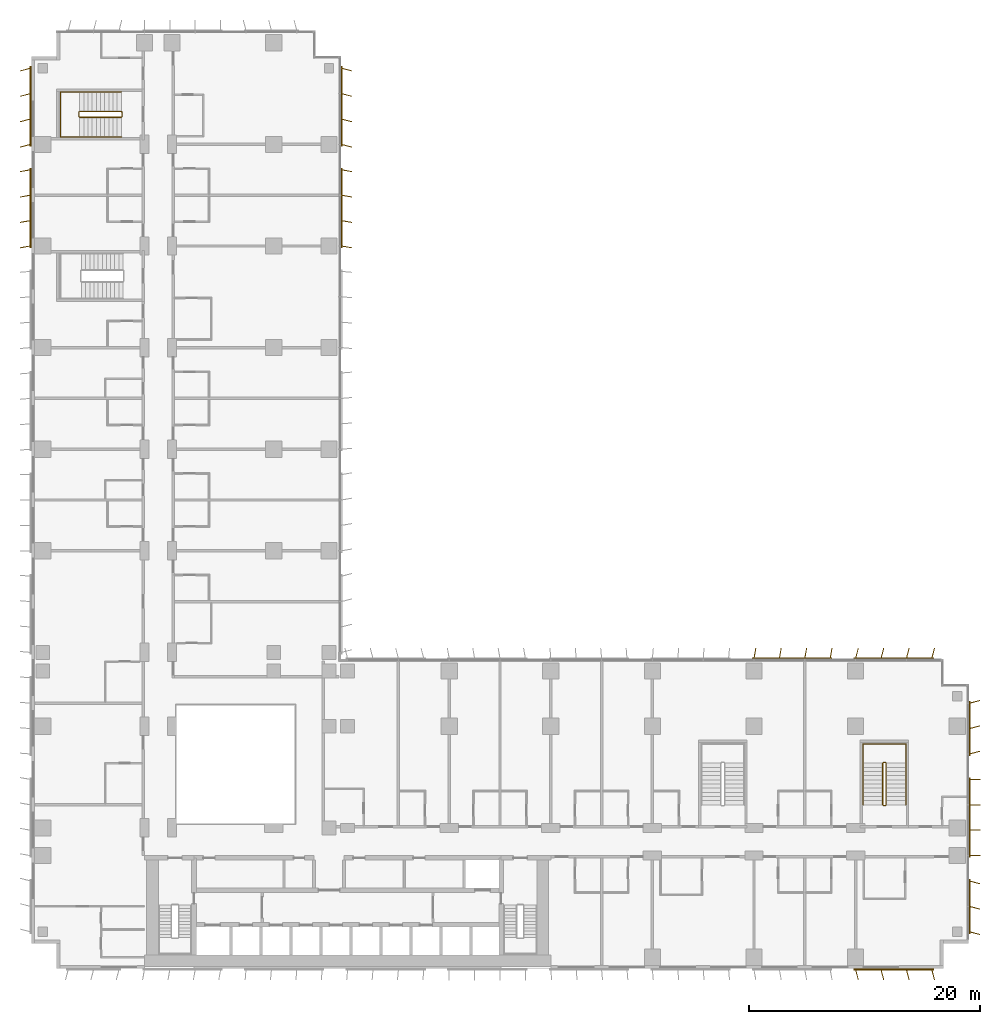
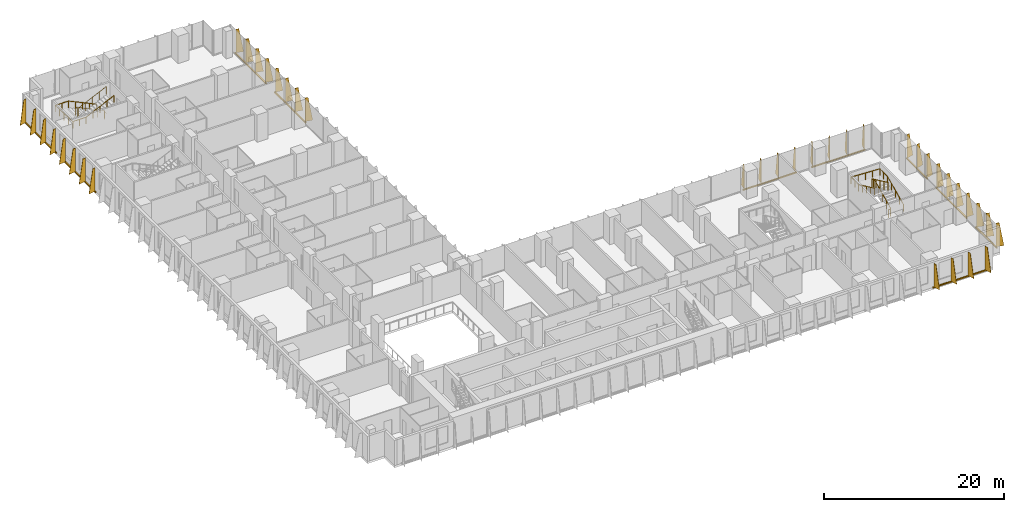
# One storey, part 23 of 24: 10 shading devices, 4 railings.
"""IFC4 building model written with IfcOpenShell, lengths in metres."""

from ifc_helpers import new_model, si_unit, direction, frame, origin, origin_2d, place, context, subcontext, project, spatial, polyline, rectangle, circle, outline, extrude, source, transform, mapped, material, layer, layer_set, type_object, element, save


model = new_model("IFC4")

# Units and contexts
model_context = context("Model", 3, precision=1e-05, world=origin(), true_north=direction((0.0, 1.0)))
body_context = subcontext(model_context, "Body", "Model", "MODEL_VIEW")
ifc_project = project(units=[si_unit("LENGTHUNIT", "METRE"), si_unit("AREAUNIT", "SQUARE_METRE"), si_unit("VOLUMEUNIT", "CUBIC_METRE"), si_unit("PLANEANGLEUNIT", "RADIAN"), si_unit("MASSUNIT", "GRAM", prefix="KILO")], contexts=[model_context])

# Site, building, storey
site_placement = place(None, origin())
site = spatial("IfcSite", under=ifc_project, at=site_placement, CompositionType="ELEMENT")
building_placement = place(site_placement, origin())
building = spatial("IfcBuilding", under=site, at=building_placement, Name="Kemantara Hotel Tower", CompositionType="ELEMENT")
storey_placement = place(building_placement, frame((0.0, 0.0, 37.699951171875)))
storey = spatial("IfcBuildingStorey", under=building, at=storey_placement, Name="L07", CompositionType="ELEMENT", Elevation=37.699951171875)

# Railings
ifc_material_1 = material(Name="Stainless steel balustrade", Category="steel")
railing_type_1 = type_object("IfcRailingType", Name="Stair guard 1100 mm", PredefinedType="GUARDRAIL", material=ifc_material_1)
railing_1_placement = place(storey_placement, frame((73.75, 14.199951171875, 3.699951171875)))
element("IfcRailing", 1, at=railing_1_placement, inside=storey, type_object=railing_type_1, Name="L07 ST5 stair guard 1", PredefinedType="GUARDRAIL", context=body_context, shape_type="SweptSolid", body=[
    extrude(circle(Radius=0.02392578125, at=origin_2d()), frame((0.0, 0.0, 1.076171875), z_axis=(0.0, 0.906029249863, -0.423215073447), x_axis=(-1.0, 0.0, 0.0)), (0.0, 0.0, 1.0), 3.973388671875),
    extrude(circle(Radius=0.02392578125, at=origin_2d()), frame((0.0, 3.60009765625, -0.60546875), z_axis=(0.274243871929, 0.274243871929, -0.92172696468), x_axis=(-0.707106781187, 0.707106781187, 0.0)), (0.0, 0.0, 1.0), 0.1826171875),
    extrude(circle(Radius=0.02392578125, at=origin_2d()), frame((0.050048828125, 3.650146484375, -0.77392578125), z_axis=(1.0, 0.0, 0.0), x_axis=(0.0, 1.0, 0.0)), (0.0, 0.0, 1.0), 0.199951171875),
    extrude(circle(Radius=0.02392578125, at=origin_2d()), frame((0.25, 3.650146484375, -0.77392578125), z_axis=(0.707106781187, -0.707106781187, 0.0), x_axis=(0.707106781187, 0.707106781187, 0.0)), (0.0, 0.0, 1.0), 0.07080078125),
    extrude(circle(Radius=0.02392578125, at=origin_2d()), frame((0.300048828125, 3.60009765625, -0.77392578125), z_axis=(0.0, -0.906005689286, -0.423265508849), x_axis=(1.0, 0.0, 0.0)), (0.0, 0.0, 1.0), 3.9736328125),
    extrude(circle(Radius=0.02392578125, at=origin_2d()), frame((0.300048828125, 0.0, -2.45556640625), z_axis=(-0.274243871929, -0.274243871929, -0.92172696468), x_axis=(0.707106781187, -0.707106781187, 0.0)), (0.0, 0.0, 1.0), 0.1826171875),
    extrude(circle(Radius=0.02392578125, at=origin_2d()), frame((0.25, -0.050048828125, -2.6240234375), z_axis=(-1.0, 0.0, 0.0), x_axis=(0.0, -1.0, 0.0)), (0.0, 0.0, 1.0), 0.199951171875),
    extrude(circle(Radius=0.02099609375, at=origin_2d()), origin(), (0.0, 0.0, 1.0), 1.052001953125),
    extrude(circle(Radius=0.02099609375, at=origin_2d()), frame((0.0, 0.89990234375, -0.42041015625)), (0.0, 0.0, 1.0), 1.052001953125),
    extrude(circle(Radius=0.02099609375, at=origin_2d()), frame((0.0, 1.800048828125, -0.8408203125)), (0.0, 0.0, 1.0), 1.052001953125),
    extrude(circle(Radius=0.02099609375, at=origin_2d()), frame((0.0, 2.7001953125, -1.26123046875)), (0.0, 0.0, 1.0), 1.052001953125),
    extrude(circle(Radius=0.02099609375, at=origin_2d()), frame((0.0, 3.60009765625, -1.681640625)), (0.0, 0.0, 1.0), 1.052001953125),
    extrude(circle(Radius=0.02099609375, at=origin_2d()), frame((0.050048828125, 3.650146484375, -1.849853515625)), (0.0, 0.0, 1.0), 1.052001953125),
    extrude(circle(Radius=0.02099609375, at=origin_2d()), frame((0.25, 3.650146484375, -1.849853515625)), (0.0, 0.0, 1.0), 1.052001953125),
    extrude(circle(Radius=0.02099609375, at=origin_2d()), frame((0.300048828125, 3.60009765625, -1.849853515625)), (0.0, 0.0, 1.0), 1.052001953125),
    extrude(circle(Radius=0.02099609375, at=origin_2d()), frame((0.300048828125, 2.7001953125, -2.270263671875)), (0.0, 0.0, 1.0), 1.052001953125),
    extrude(circle(Radius=0.02099609375, at=origin_2d()), frame((0.300048828125, 1.800048828125, -2.69091796875)), (0.0, 0.0, 1.0), 1.052001953125),
    extrude(circle(Radius=0.02099609375, at=origin_2d()), frame((0.300048828125, 0.89990234375, -3.111328125)), (0.0, 0.0, 1.0), 1.052001953125),
    extrude(circle(Radius=0.02099609375, at=origin_2d()), frame((0.300048828125, 0.0, -3.53173828125)), (0.0, 0.0, 1.0), 1.052001953125),
    extrude(circle(Radius=0.02099609375, at=origin_2d()), frame((0.25, -0.050048828125, -3.699951171875)), (0.0, 0.0, 1.0), 1.052001953125),
    extrude(circle(Radius=0.02099609375, at=origin_2d()), frame((0.050048828125, -0.050048828125, -3.699951171875)), (0.0, 0.0, 1.0), 1.052001953125),
])
railing_2_placement = place(storey_placement, frame((7.800048828125, 73.75, 3.699951171875)))
element("IfcRailing", 2, at=railing_2_placement, inside=storey, type_object=railing_type_1, Name="L07 ST6 stair guard 1", PredefinedType="GUARDRAIL", context=body_context, shape_type="SweptSolid", body=[
    extrude(circle(Radius=0.02392578125, at=origin_2d()), frame((0.0, 0.0, 1.076171875), z_axis=(-0.906029249863, 0.0, -0.423215073447), x_axis=(0.0, -1.0, 0.0)), (0.0, 0.0, 1.0), 3.973388671875),
    extrude(circle(Radius=0.02392578125, at=origin_2d()), frame((-3.60009765625, 0.0, -0.60546875), z_axis=(-0.274243871929, 0.274243871929, -0.92172696468), x_axis=(-0.707106781187, -0.707106781187, 0.0)), (0.0, 0.0, 1.0), 0.1826171875),
    extrude(circle(Radius=0.02392578125, at=origin_2d()), frame((-3.650146484375, 0.050048828125, -0.77392578125), z_axis=(0.0, 1.0, 0.0), x_axis=(-1.0, 0.0, 0.0)), (0.0, 0.0, 1.0), 0.39990234375),
    extrude(circle(Radius=0.02392578125, at=origin_2d()), frame((-3.650146484375, 0.449951171875, -0.77392578125), z_axis=(0.707106781187, 0.707106781187, 0.0), x_axis=(-0.707106781187, 0.707106781187, 0.0)), (0.0, 0.0, 1.0), 0.07080078125),
    extrude(circle(Radius=0.02392578125, at=origin_2d()), frame((-3.60009765625, 0.5, -0.77392578125), z_axis=(0.906005689286, 0.0, -0.423265508849), x_axis=(0.0, 1.0, 0.0)), (0.0, 0.0, 1.0), 3.9736328125),
    extrude(circle(Radius=0.02392578125, at=origin_2d()), frame((0.0, 0.5, -2.45556640625), z_axis=(0.274243871929, -0.274243871929, -0.92172696468), x_axis=(0.707106781187, 0.707106781187, 0.0)), (0.0, 0.0, 1.0), 0.1826171875),
    extrude(circle(Radius=0.02392578125, at=origin_2d()), frame((0.050048828125, 0.449951171875, -2.6240234375), z_axis=(0.0, -1.0, 0.0), x_axis=(1.0, 0.0, 0.0)), (0.0, 0.0, 1.0), 0.39990234375),
    extrude(circle(Radius=0.02099609375, at=origin_2d()), origin(), (0.0, 0.0, 1.0), 1.052001953125),
    extrude(circle(Radius=0.02099609375, at=origin_2d()), frame((-0.89990234375, 0.0, -0.42041015625)), (0.0, 0.0, 1.0), 1.052001953125),
    extrude(circle(Radius=0.02099609375, at=origin_2d()), frame((-1.800048828125, 0.0, -0.8408203125)), (0.0, 0.0, 1.0), 1.052001953125),
    extrude(circle(Radius=0.02099609375, at=origin_2d()), frame((-2.7001953125, 0.0, -1.26123046875)), (0.0, 0.0, 1.0), 1.052001953125),
    extrude(circle(Radius=0.02099609375, at=origin_2d()), frame((-3.60009765625, 0.0, -1.681640625)), (0.0, 0.0, 1.0), 1.052001953125),
    extrude(circle(Radius=0.02099609375, at=origin_2d()), frame((-3.650146484375, 0.050048828125, -1.849853515625)), (0.0, 0.0, 1.0), 1.052001953125),
    extrude(circle(Radius=0.02099609375, at=origin_2d()), frame((-3.650146484375, 0.449951171875, -1.849853515625)), (0.0, 0.0, 1.0), 1.052001953125),
    extrude(circle(Radius=0.02099609375, at=origin_2d()), frame((-3.60009765625, 0.5, -1.849853515625)), (0.0, 0.0, 1.0), 1.052001953125),
    extrude(circle(Radius=0.02099609375, at=origin_2d()), frame((-2.7001953125, 0.5, -2.270263671875)), (0.0, 0.0, 1.0), 1.052001953125),
    extrude(circle(Radius=0.02099609375, at=origin_2d()), frame((-1.800048828125, 0.5, -2.69091796875)), (0.0, 0.0, 1.0), 1.052001953125),
    extrude(circle(Radius=0.02099609375, at=origin_2d()), frame((-0.89990234375, 0.5, -3.111328125)), (0.0, 0.0, 1.0), 1.052001953125),
    extrude(circle(Radius=0.02099609375, at=origin_2d()), frame((0.0, 0.5, -3.53173828125)), (0.0, 0.0, 1.0), 1.052001953125),
    extrude(circle(Radius=0.02099609375, at=origin_2d()), frame((0.050048828125, 0.449951171875, -3.699951171875)), (0.0, 0.0, 1.0), 1.052001953125),
    extrude(circle(Radius=0.02099609375, at=origin_2d()), frame((0.050048828125, 0.050048828125, -3.699951171875)), (0.0, 0.0, 1.0), 1.052001953125),
])
railing_type_2 = type_object("IfcRailingType", Name="Stair handrail 900 mm", PredefinedType="HANDRAIL", material=ifc_material_1)
railing_3_placement = place(storey_placement, frame((75.75, 14.199951171875, 0.168212890625)))
element("IfcRailing", 3, at=railing_3_placement, inside=storey, type_object=railing_type_2, Name="L07 ST5 stair handrail 1", PredefinedType="HANDRAIL", context=body_context, shape_type="SweptSolid", body=[
    extrude(circle(Radius=0.02392578125, at=origin_2d()), frame((0.0, 0.0, 0.8759765625), z_axis=(0.0, 0.906005689286, 0.423265508849), x_axis=(-1.0, 0.0, 0.0)), (0.0, 0.0, 1.0), 3.9736328125),
    extrude(circle(Radius=0.02392578125, at=origin_2d()), frame((0.0, 3.60009765625, 2.5576171875), z_axis=(0.0, 1.0, 0.0), x_axis=(-1.0, 0.0, 0.0)), (0.0, 0.0, 1.0), 1.679931640625),
    extrude(circle(Radius=0.02392578125, at=origin_2d()), frame((0.0, 5.280029296875, 2.5576171875), z_axis=(-0.998968132438, 0.0, 0.045416631029), x_axis=(0.0, -1.0, 0.0)), (0.0, 0.0, 1.0), 3.703857421875),
    extrude(circle(Radius=0.02392578125, at=origin_2d()), frame((-3.699951171875, 5.280029296875, 2.72607421875), z_axis=(0.0, -1.0, 0.0), x_axis=(1.0, 0.0, 0.0)), (0.0, 0.0, 1.0), 1.679931640625),
    extrude(circle(Radius=0.02392578125, at=origin_2d()), frame((-3.699951171875, 3.60009765625, 2.72607421875), z_axis=(0.0, -0.906029249863, 0.423215073447), x_axis=(1.0, 0.0, 0.0)), (0.0, 0.0, 1.0), 3.973388671875),
    extrude(circle(Radius=0.02099609375, at=origin_2d()), origin(), (0.0, 0.0, 1.0), 0.851806640625),
    extrude(circle(Radius=0.02099609375, at=origin_2d()), frame((0.0, 0.89990234375, 0.42041015625)), (0.0, 0.0, 1.0), 0.851806640625),
    extrude(circle(Radius=0.02099609375, at=origin_2d()), frame((0.0, 1.800048828125, 0.8408203125)), (0.0, 0.0, 1.0), 0.851806640625),
    extrude(circle(Radius=0.02099609375, at=origin_2d()), frame((0.0, 2.7001953125, 1.261474609375)), (0.0, 0.0, 1.0), 0.851806640625),
    extrude(circle(Radius=0.02099609375, at=origin_2d()), frame((0.0, 3.60009765625, 1.681884765625)), (0.0, 0.0, 1.0), 0.851806640625),
    extrude(circle(Radius=0.02099609375, at=origin_2d()), frame((0.0, 4.43994140625, 1.681884765625)), (0.0, 0.0, 1.0), 0.851806640625),
    extrude(circle(Radius=0.02099609375, at=origin_2d()), frame((0.0, 5.280029296875, 1.681884765625)), (0.0, 0.0, 1.0), 0.851806640625),
    extrude(circle(Radius=0.02099609375, at=origin_2d()), frame((-0.925048828125, 5.280029296875, 1.723876953125)), (0.0, 0.0, 1.0), 0.851806640625),
    extrude(circle(Radius=0.02099609375, at=origin_2d()), frame((-1.85009765625, 5.280029296875, 1.76611328125)), (0.0, 0.0, 1.0), 0.851806640625),
    extrude(circle(Radius=0.02099609375, at=origin_2d()), frame((-2.77490234375, 5.280029296875, 1.80810546875)), (0.0, 0.0, 1.0), 0.851806640625),
    extrude(circle(Radius=0.02099609375, at=origin_2d()), frame((-3.699951171875, 5.280029296875, 1.85009765625)), (0.0, 0.0, 1.0), 0.851806640625),
    extrude(circle(Radius=0.02099609375, at=origin_2d()), frame((-3.699951171875, 4.43994140625, 1.85009765625)), (0.0, 0.0, 1.0), 0.851806640625),
    extrude(circle(Radius=0.02099609375, at=origin_2d()), frame((-3.699951171875, 3.60009765625, 1.85009765625)), (0.0, 0.0, 1.0), 0.851806640625),
    extrude(circle(Radius=0.02099609375, at=origin_2d()), frame((-3.699951171875, 2.7001953125, 2.2705078125)), (0.0, 0.0, 1.0), 0.851806640625),
    extrude(circle(Radius=0.02099609375, at=origin_2d()), frame((-3.699951171875, 1.800048828125, 2.69091796875)), (0.0, 0.0, 1.0), 0.851806640625),
    extrude(circle(Radius=0.02099609375, at=origin_2d()), frame((-3.699951171875, 0.89990234375, 3.111328125)), (0.0, 0.0, 1.0), 0.851806640625),
    extrude(circle(Radius=0.02099609375, at=origin_2d()), frame((-3.699951171875, 0.0, 3.53173828125)), (0.0, 0.0, 1.0), 0.851806640625),
])
railing_4_placement = place(storey_placement, frame((7.800048828125, 75.949951171875, 0.168212890625)))
element("IfcRailing", 4, at=railing_4_placement, inside=storey, type_object=railing_type_2, Name="L07 ST6 stair handrail 1", PredefinedType="HANDRAIL", context=body_context, shape_type="SweptSolid", body=[
    extrude(circle(Radius=0.02392578125, at=origin_2d()), frame((0.0, 0.0, 0.8759765625), z_axis=(-0.906005689286, 0.0, 0.423265508849), x_axis=(0.0, -1.0, 0.0)), (0.0, 0.0, 1.0), 3.9736328125),
    extrude(circle(Radius=0.02392578125, at=origin_2d()), frame((-3.60009765625, 0.0, 2.5576171875), z_axis=(-1.0, 0.0, 0.0), x_axis=(0.0, -1.0, 0.0)), (0.0, 0.0, 1.0), 1.679931640625),
    extrude(circle(Radius=0.02392578125, at=origin_2d()), frame((-5.280029296875, 0.0, 2.5576171875), z_axis=(0.0, -0.999071085748, 0.043092523981), x_axis=(1.0, 0.0, 0.0)), (0.0, 0.0, 1.0), 3.903564453125),
    extrude(circle(Radius=0.02392578125, at=origin_2d()), frame((-5.280029296875, -3.89990234375, 2.72607421875), z_axis=(1.0, 0.0, 0.0), x_axis=(0.0, 1.0, 0.0)), (0.0, 0.0, 1.0), 1.679931640625),
    extrude(circle(Radius=0.02392578125, at=origin_2d()), frame((-3.60009765625, -3.89990234375, 2.72607421875), z_axis=(0.906029249863, 0.0, 0.423215073447), x_axis=(0.0, 1.0, 0.0)), (0.0, 0.0, 1.0), 3.973388671875),
    extrude(circle(Radius=0.02099609375, at=origin_2d()), origin(), (0.0, 0.0, 1.0), 0.851806640625),
    extrude(circle(Radius=0.02099609375, at=origin_2d()), frame((-0.89990234375, 0.0, 0.42041015625)), (0.0, 0.0, 1.0), 0.851806640625),
    extrude(circle(Radius=0.02099609375, at=origin_2d()), frame((-1.800048828125, 0.0, 0.8408203125)), (0.0, 0.0, 1.0), 0.851806640625),
    extrude(circle(Radius=0.02099609375, at=origin_2d()), frame((-2.7001953125, 0.0, 1.261474609375)), (0.0, 0.0, 1.0), 0.851806640625),
    extrude(circle(Radius=0.02099609375, at=origin_2d()), frame((-3.60009765625, 0.0, 1.681884765625)), (0.0, 0.0, 1.0), 0.851806640625),
    extrude(circle(Radius=0.02099609375, at=origin_2d()), frame((-4.43994140625, 0.0, 1.681884765625)), (0.0, 0.0, 1.0), 0.851806640625),
    extrude(circle(Radius=0.02099609375, at=origin_2d()), frame((-5.280029296875, 0.0, 1.681884765625)), (0.0, 0.0, 1.0), 0.851806640625),
    extrude(circle(Radius=0.02099609375, at=origin_2d()), frame((-5.280029296875, -0.97509765625, 1.723876953125)), (0.0, 0.0, 1.0), 0.851806640625),
    extrude(circle(Radius=0.02099609375, at=origin_2d()), frame((-5.280029296875, -1.949951171875, 1.76611328125)), (0.0, 0.0, 1.0), 0.851806640625),
    extrude(circle(Radius=0.02099609375, at=origin_2d()), frame((-5.280029296875, -2.9248046875, 1.80810546875)), (0.0, 0.0, 1.0), 0.851806640625),
    extrude(circle(Radius=0.02099609375, at=origin_2d()), frame((-5.280029296875, -3.89990234375, 1.85009765625)), (0.0, 0.0, 1.0), 0.851806640625),
    extrude(circle(Radius=0.02099609375, at=origin_2d()), frame((-4.43994140625, -3.89990234375, 1.85009765625)), (0.0, 0.0, 1.0), 0.851806640625),
    extrude(circle(Radius=0.02099609375, at=origin_2d()), frame((-3.60009765625, -3.89990234375, 1.85009765625)), (0.0, 0.0, 1.0), 0.851806640625),
    extrude(circle(Radius=0.02099609375, at=origin_2d()), frame((-2.7001953125, -3.89990234375, 2.2705078125)), (0.0, 0.0, 1.0), 0.851806640625),
    extrude(circle(Radius=0.02099609375, at=origin_2d()), frame((-1.800048828125, -3.89990234375, 2.69091796875)), (0.0, 0.0, 1.0), 0.851806640625),
    extrude(circle(Radius=0.02099609375, at=origin_2d()), frame((-0.89990234375, -3.89990234375, 3.111328125)), (0.0, 0.0, 1.0), 0.851806640625),
    extrude(circle(Radius=0.02099609375, at=origin_2d()), frame((0.0, -3.89990234375, 3.53173828125)), (0.0, 0.0, 1.0), 0.851806640625),
])

# Shading devices
ifc_material_2 = material(Name="Perforated aluminium plate 4 mm bronze anodised", Category="aluminium")
ifc_layer_1 = layer(ifc_material_2, 0.0400390625)
ifc_layer_set_1 = layer_set([ifc_layer_1], Name="Perforated aluminium plate 4 mm bronze anodised")
shading_device_type_1 = type_object("IfcShadingDeviceType", Name="SCREEN FIN CASSETTE, 3 BLADES AT -15.0 DEG, 3200 HIGH", PredefinedType="USERDEFINED", material=ifc_layer_set_1)
shared_shape_1 = source(origin(), body_context, "Body", "SweptSolid", [
    extrude(rectangle(XDim=4.699951171875, YDim=0.14990234375, at=origin_2d()), frame((2.199951171875, -0.074951171875, -0.14990234375), z_axis=(0.0, 0.0, 1.0), x_axis=(1.0, 0.0, 0.0)), (0.0, 0.0, 1.0), 0.14990234375),
    extrude(outline(polyline([(0.0, 0.0), (0.89990234375, 0.0), (0.35009765625, 3.199951171875), (0.0, 3.199951171875), (0.0, 0.0)])), frame((0.019287109375, -0.080078125, 0.0), z_axis=(-0.966437683387, 0.256901156343, 0.0), x_axis=(-0.256901156343, -0.966437683387, 0.0)), (0.0, 0.0, 1.0), 0.039794921875),
    extrude(outline(polyline([(0.0, 0.0), (0.89990234375, 0.0), (0.35009765625, 3.199951171875), (0.0, 3.199951171875), (0.0, 0.0)])), frame((2.21923828125, -0.080078125, 0.0), z_axis=(-0.966437683387, 0.256901156343, 0.0), x_axis=(-0.256901156343, -0.966437683387, 0.0)), (0.0, 0.0, 1.0), 0.039794921875),
    extrude(outline(polyline([(0.0, 0.0), (0.89990234375, 0.0), (0.35009765625, 3.199951171875), (0.0, 3.199951171875), (0.0, 0.0)])), frame((4.41943359375, -0.080078125, 0.0), z_axis=(-0.966837822169, 0.255391122837, 0.0), x_axis=(-0.255391122837, -0.966837822169, 0.0)), (0.0, 0.0, 1.0), 0.0400390625),
])
shading_device_1_placement = place(storey_placement, frame((81.199951171875, 3.199951171875, 0.10009765625), z_axis=(0.0, 0.0, 1.0), x_axis=(0.0, 1.0, 0.0)))
element("IfcShadingDevice", 5, at=shading_device_1_placement, inside=storey, type_object=shading_device_type_1, Name="SCREEN FIN CASSETTE L07 T1-R04-1", ObjectType="SCREEN FIN", PredefinedType="USERDEFINED", context=body_context, shape_type="MappedRepresentation", body=[
    mapped(shared_shape_1, transform((0.0, 0.0, 0.0))),
])
ifc_layer_2 = layer(ifc_material_2, 0.0400390625)
ifc_layer_set_2 = layer_set([ifc_layer_2], Name="Perforated aluminium plate 4 mm bronze anodised")
shading_device_type_2 = type_object("IfcShadingDeviceType", Name="SCREEN FIN CASSETTE, 4 BLADES AT -10.0 DEG, 3200 HIGH", PredefinedType="USERDEFINED", material=ifc_layer_set_2)
shared_shape_2 = source(origin(), body_context, "Body", "SweptSolid", [
    extrude(rectangle(XDim=6.89990234375, YDim=0.14990234375, at=origin_2d()), frame((3.300048828125, -0.074951171875, -0.14990234375), z_axis=(0.0, 0.0, 1.0), x_axis=(1.0, 0.0, 0.0)), (0.0, 0.0, 1.0), 0.14990234375),
    extrude(outline(polyline([(0.0, 0.0), (0.89990234375, 0.0), (0.35009765625, 3.199951171875), (0.0, 3.199951171875), (0.0, 0.0)])), frame((0.019775390625, -0.078369140625, 0.0), z_axis=(-0.985389793052, 0.170314285219, 0.0), x_axis=(-0.170314285219, -0.985389793052, 0.0)), (0.0, 0.0, 1.0), 0.0400390625),
    extrude(outline(polyline([(0.0, 0.0), (0.89990234375, 0.0), (0.35009765625, 3.199951171875), (0.0, 3.199951171875), (0.0, 0.0)])), frame((2.2197265625, -0.078369140625, 0.0), z_axis=(-0.98521175482, 0.171341174751, 0.0), x_axis=(-0.171341174751, -0.98521175482, 0.0)), (0.0, 0.0, 1.0), 0.039794921875),
    extrude(outline(polyline([(0.0, 0.0), (0.89990234375, 0.0), (0.35009765625, 3.199951171875), (0.0, 3.199951171875), (0.0, 0.0)])), frame((4.419677734375, -0.078369140625, 0.0), z_axis=(-0.98521175482, 0.171341174751, 0.0), x_axis=(-0.171341174751, -0.98521175482, 0.0)), (0.0, 0.0, 1.0), 0.039794921875),
    extrude(outline(polyline([(0.0, 0.0), (0.89990234375, 0.0), (0.35009765625, 3.199951171875), (0.0, 3.199951171875), (0.0, 0.0)])), frame((6.61962890625, -0.078369140625, 0.0), z_axis=(-0.98521175482, 0.171341174751, 0.0), x_axis=(-0.171341174751, -0.98521175482, 0.0)), (0.0, 0.0, 1.0), 0.039794921875),
])
for number, where, z_axis, x_axis, name in (
    (6, (69.199951171875, 26.800048828125, 0.10009765625), (0.0, 0.0, 1.0), (-1.0, 0.0, 0.0), "SCREEN FIN CASSETTE L07 T1-R07-2"),
    (7, (26.800048828125, 62.60009765625, 0.10009765625), (0.0, 0.0, 1.0), (0.0, 1.0, 0.0), "SCREEN FIN CASSETTE L07 T1-R08-5"),
):
    element("IfcShadingDevice", number, at=place(storey_placement, frame(where, z_axis=z_axis, x_axis=x_axis)), inside=storey, type_object=shading_device_type_2, Name=name, ObjectType="SCREEN FIN", PredefinedType="USERDEFINED", context=body_context, shape_type="MappedRepresentation", body=[
        mapped(shared_shape_2, transform((0.0, 0.0, 0.0))),
    ])
ifc_layer_3 = layer(ifc_material_2, 0.0400390625)
ifc_layer_set_3 = layer_set([ifc_layer_3], Name="Perforated aluminium plate 4 mm bronze anodised")
shading_device_type_3 = type_object("IfcShadingDeviceType", Name="SCREEN FIN CASSETTE, 4 BLADES AT +0.0 DEG, 3200 HIGH", PredefinedType="USERDEFINED", material=ifc_layer_set_3)
shared_shape_3 = source(origin(), body_context, "Body", "SweptSolid", [
    extrude(rectangle(XDim=6.89990234375, YDim=0.14990234375, at=origin_2d()), frame((3.300048828125, -0.074951171875, -0.14990234375), z_axis=(0.0, 0.0, 1.0), x_axis=(1.0, 0.0, 0.0)), (0.0, 0.0, 1.0), 0.14990234375),
    extrude(outline(polyline([(0.0, 0.0), (0.89990234375, 0.0), (0.35009765625, 3.199951171875), (0.0, 3.199951171875), (0.0, 0.0)])), frame((0.02001953125, -0.074951171875, 0.0), z_axis=(-1.0, 0.0, 0.0), x_axis=(0.0, -1.0, 0.0)), (0.0, 0.0, 1.0), 0.0400390625),
    extrude(outline(polyline([(0.0, 0.0), (0.89990234375, 0.0), (0.35009765625, 3.199951171875), (0.0, 3.199951171875), (0.0, 0.0)])), frame((2.219970703125, -0.074951171875, 0.0), z_axis=(-1.0, 0.0, 0.0), x_axis=(0.0, -1.0, 0.0)), (0.0, 0.0, 1.0), 0.0400390625),
    extrude(outline(polyline([(0.0, 0.0), (0.89990234375, 0.0), (0.35009765625, 3.199951171875), (0.0, 3.199951171875), (0.0, 0.0)])), frame((4.419921875, -0.074951171875, 0.0), z_axis=(-1.0, 0.0, 0.0), x_axis=(0.0, -1.0, 0.0)), (0.0, 0.0, 1.0), 0.0400390625),
    extrude(outline(polyline([(0.0, 0.0), (0.89990234375, 0.0), (0.35009765625, 3.199951171875), (0.0, 3.199951171875), (0.0, 0.0)])), frame((6.6201171875, -0.074951171875, 0.0), z_axis=(-1.0, 0.0, 0.0), x_axis=(0.0, -1.0, 0.0)), (0.0, 0.0, 1.0), 0.0400390625),
])
shading_device_2_placement = place(storey_placement, frame((81.199951171875, 9.800048828125, 0.10009765625), z_axis=(0.0, 0.0, 1.0), x_axis=(0.0, 1.0, 0.0)))
element("IfcShadingDevice", 8, at=shading_device_2_placement, inside=storey, type_object=shading_device_type_3, Name="SCREEN FIN CASSETTE L07 T1-R04-2", ObjectType="SCREEN FIN", PredefinedType="USERDEFINED", context=body_context, shape_type="MappedRepresentation", body=[
    mapped(shared_shape_3, transform((0.0, 0.0, 0.0))),
])
ifc_layer_4 = layer(ifc_material_2, 0.0400390625)
ifc_layer_set_4 = layer_set([ifc_layer_4], Name="Perforated aluminium plate 4 mm bronze anodised")
shading_device_type_4 = type_object("IfcShadingDeviceType", Name="SCREEN FIN CASSETTE, 4 BLADES AT +10.0 DEG, 3200 HIGH", PredefinedType="USERDEFINED", material=ifc_layer_set_4)
shared_shape_4 = source(origin(), body_context, "Body", "SweptSolid", [
    extrude(rectangle(XDim=6.89990234375, YDim=0.14990234375, at=origin_2d()), frame((3.300048828125, -0.074951171875, -0.14990234375), z_axis=(0.0, 0.0, 1.0), x_axis=(1.0, 0.0, 0.0)), (0.0, 0.0, 1.0), 0.14990234375),
    extrude(outline(polyline([(0.0, 0.0), (0.89990234375, 0.0), (0.35009765625, 3.199951171875), (0.0, 3.199951171875), (0.0, 0.0)])), frame((0.019775390625, -0.071533203125, 0.0), z_axis=(-0.985389793052, -0.170314285219, 0.0), x_axis=(0.170314285219, -0.985389793052, 0.0)), (0.0, 0.0, 1.0), 0.0400390625),
    extrude(outline(polyline([(0.0, 0.0), (0.89990234375, 0.0), (0.35009765625, 3.199951171875), (0.0, 3.199951171875), (0.0, 0.0)])), frame((2.2197265625, -0.071533203125, 0.0), z_axis=(-0.98521175482, -0.171341174751, 0.0), x_axis=(0.171341174751, -0.98521175482, 0.0)), (0.0, 0.0, 1.0), 0.039794921875),
    extrude(outline(polyline([(0.0, 0.0), (0.89990234375, 0.0), (0.35009765625, 3.199951171875), (0.0, 3.199951171875), (0.0, 0.0)])), frame((4.419677734375, -0.071533203125, 0.0), z_axis=(-0.98521175482, -0.171341174751, 0.0), x_axis=(0.171341174751, -0.98521175482, 0.0)), (0.0, 0.0, 1.0), 0.039794921875),
    extrude(outline(polyline([(0.0, 0.0), (0.89990234375, 0.0), (0.35009765625, 3.199951171875), (0.0, 3.199951171875), (0.0, 0.0)])), frame((6.61962890625, -0.071533203125, 0.0), z_axis=(-0.98521175482, -0.171341174751, 0.0), x_axis=(0.171341174751, -0.98521175482, 0.0)), (0.0, 0.0, 1.0), 0.039794921875),
])
shading_device_3_placement = place(storey_placement, frame((0.0, 69.199951171875, 0.10009765625), z_axis=(0.0, 0.0, 1.0), x_axis=(0.0, -1.0, 0.0)))
element("IfcShadingDevice", 9, at=shading_device_3_placement, inside=storey, type_object=shading_device_type_4, Name="SCREEN FIN CASSETTE L07 T1-R14-2", ObjectType="SCREEN FIN", PredefinedType="USERDEFINED", context=body_context, shape_type="MappedRepresentation", body=[
    mapped(shared_shape_4, transform((0.0, 0.0, 0.0))),
])
ifc_layer_5 = layer(ifc_material_2, 0.0400390625)
ifc_layer_set_5 = layer_set([ifc_layer_5], Name="Perforated aluminium plate 4 mm bronze anodised")
shading_device_type_5 = type_object("IfcShadingDeviceType", Name="SCREEN FIN CASSETTE, 4 BLADES AT +15.0 DEG, 3200 HIGH", PredefinedType="USERDEFINED", material=ifc_layer_set_5)
shared_shape_5 = source(origin(), body_context, "Body", "SweptSolid", [
    extrude(rectangle(XDim=6.89990234375, YDim=0.14990234375, at=origin_2d()), frame((3.300048828125, -0.074951171875, -0.14990234375), z_axis=(0.0, 0.0, 1.0), x_axis=(1.0, 0.0, 0.0)), (0.0, 0.0, 1.0), 0.14990234375),
    extrude(outline(polyline([(0.0, 0.0), (0.89990234375, 0.0), (0.35009765625, 3.199951171875), (0.0, 3.199951171875), (0.0, 0.0)])), frame((0.019287109375, -0.06982421875, 0.0), z_axis=(-0.966437683387, -0.256901156343, 0.0), x_axis=(0.256901156343, -0.966437683387, 0.0)), (0.0, 0.0, 1.0), 0.039794921875),
    extrude(outline(polyline([(0.0, 0.0), (0.89990234375, 0.0), (0.35009765625, 3.199951171875), (0.0, 3.199951171875), (0.0, 0.0)])), frame((2.21923828125, -0.06982421875, 0.0), z_axis=(-0.966437683387, -0.256901156343, 0.0), x_axis=(0.256901156343, -0.966437683387, 0.0)), (0.0, 0.0, 1.0), 0.039794921875),
    extrude(outline(polyline([(0.0, 0.0), (0.89990234375, 0.0), (0.35009765625, 3.199951171875), (0.0, 3.199951171875), (0.0, 0.0)])), frame((4.41943359375, -0.06982421875, 0.0), z_axis=(-0.966837822169, -0.255391122837, 0.0), x_axis=(0.255391122837, -0.966837822169, 0.0)), (0.0, 0.0, 1.0), 0.0400390625),
    extrude(outline(polyline([(0.0, 0.0), (0.89990234375, 0.0), (0.35009765625, 3.199951171875), (0.0, 3.199951171875), (0.0, 0.0)])), frame((6.619384765625, -0.06982421875, 0.0), z_axis=(-0.966837822169, -0.255391122837, 0.0), x_axis=(0.255391122837, -0.966837822169, 0.0)), (0.0, 0.0, 1.0), 0.0400390625),
])
for number, where, z_axis, x_axis, name in (
    (10, (71.39990234375, 0.0, 0.10009765625), (0.0, 0.0, 1.0), (1.0, 0.0, 0.0), "SCREEN FIN CASSETTE L07 T1-R01-9"),
    (11, (0.0, 78.0, 0.10009765625), (0.0, 0.0, 1.0), (0.0, -1.0, 0.0), "SCREEN FIN CASSETTE L07 T1-R14-1"),
):
    element("IfcShadingDevice", number, at=place(storey_placement, frame(where, z_axis=z_axis, x_axis=x_axis)), inside=storey, type_object=shading_device_type_5, Name=name, ObjectType="SCREEN FIN", PredefinedType="USERDEFINED", context=body_context, shape_type="MappedRepresentation", body=[
        mapped(shared_shape_5, transform((0.0, 0.0, 0.0))),
    ])
ifc_layer_6 = layer(ifc_material_2, 0.0400390625)
ifc_layer_set_6 = layer_set([ifc_layer_6], Name="Perforated aluminium plate 4 mm bronze anodised")
shading_device_type_6 = type_object("IfcShadingDeviceType", Name="SCREEN FIN CASSETTE, 3 BLADES AT +15.0 DEG, 3200 HIGH", PredefinedType="USERDEFINED", material=ifc_layer_set_6)
shared_shape_6 = source(origin(), body_context, "Body", "SweptSolid", [
    extrude(rectangle(XDim=4.699951171875, YDim=0.14990234375, at=origin_2d()), frame((2.199951171875, -0.074951171875, -0.14990234375), z_axis=(0.0, 0.0, 1.0), x_axis=(1.0, 0.0, 0.0)), (0.0, 0.0, 1.0), 0.14990234375),
    extrude(outline(polyline([(0.0, 0.0), (0.89990234375, 0.0), (0.35009765625, 3.199951171875), (0.0, 3.199951171875), (0.0, 0.0)])), frame((0.019287109375, -0.06982421875, 0.0), z_axis=(-0.966437683387, -0.256901156343, 0.0), x_axis=(0.256901156343, -0.966437683387, 0.0)), (0.0, 0.0, 1.0), 0.039794921875),
    extrude(outline(polyline([(0.0, 0.0), (0.89990234375, 0.0), (0.35009765625, 3.199951171875), (0.0, 3.199951171875), (0.0, 0.0)])), frame((2.21923828125, -0.06982421875, 0.0), z_axis=(-0.966437683387, -0.256901156343, 0.0), x_axis=(0.256901156343, -0.966437683387, 0.0)), (0.0, 0.0, 1.0), 0.039794921875),
    extrude(outline(polyline([(0.0, 0.0), (0.89990234375, 0.0), (0.35009765625, 3.199951171875), (0.0, 3.199951171875), (0.0, 0.0)])), frame((4.41943359375, -0.06982421875, 0.0), z_axis=(-0.966837822169, -0.255391122837, 0.0), x_axis=(0.255391122837, -0.966837822169, 0.0)), (0.0, 0.0, 1.0), 0.0400390625),
])
shading_device_4_placement = place(storey_placement, frame((81.199951171875, 18.60009765625, 0.10009765625), z_axis=(0.0, 0.0, 1.0), x_axis=(0.0, 1.0, 0.0)))
element("IfcShadingDevice", 12, at=shading_device_4_placement, inside=storey, type_object=shading_device_type_6, Name="SCREEN FIN CASSETTE L07 T1-R04-3", ObjectType="SCREEN FIN", PredefinedType="USERDEFINED", context=body_context, shape_type="MappedRepresentation", body=[
    mapped(shared_shape_6, transform((0.0, 0.0, 0.0))),
])
ifc_layer_7 = layer(ifc_material_2, 0.0400390625)
ifc_layer_set_7 = layer_set([ifc_layer_7], Name="Perforated aluminium plate 4 mm bronze anodised")
shading_device_type_7 = type_object("IfcShadingDeviceType", Name="SCREEN FIN CASSETTE, 4 BLADES AT -15.0 DEG, 3200 HIGH", PredefinedType="USERDEFINED", material=ifc_layer_set_7)
shared_shape_7 = source(origin(), body_context, "Body", "SweptSolid", [
    extrude(rectangle(XDim=6.89990234375, YDim=0.14990234375, at=origin_2d()), frame((3.300048828125, -0.074951171875, -0.14990234375), z_axis=(0.0, 0.0, 1.0), x_axis=(1.0, 0.0, 0.0)), (0.0, 0.0, 1.0), 0.14990234375),
    extrude(outline(polyline([(0.0, 0.0), (0.89990234375, 0.0), (0.35009765625, 3.199951171875), (0.0, 3.199951171875), (0.0, 0.0)])), frame((0.019287109375, -0.080078125, 0.0), z_axis=(-0.966437683387, 0.256901156343, 0.0), x_axis=(-0.256901156343, -0.966437683387, 0.0)), (0.0, 0.0, 1.0), 0.039794921875),
    extrude(outline(polyline([(0.0, 0.0), (0.89990234375, 0.0), (0.35009765625, 3.199951171875), (0.0, 3.199951171875), (0.0, 0.0)])), frame((2.21923828125, -0.080078125, 0.0), z_axis=(-0.966437683387, 0.256901156343, 0.0), x_axis=(-0.256901156343, -0.966437683387, 0.0)), (0.0, 0.0, 1.0), 0.039794921875),
    extrude(outline(polyline([(0.0, 0.0), (0.89990234375, 0.0), (0.35009765625, 3.199951171875), (0.0, 3.199951171875), (0.0, 0.0)])), frame((4.41943359375, -0.080078125, 0.0), z_axis=(-0.966837822169, 0.255391122837, 0.0), x_axis=(-0.255391122837, -0.966837822169, 0.0)), (0.0, 0.0, 1.0), 0.0400390625),
    extrude(outline(polyline([(0.0, 0.0), (0.89990234375, 0.0), (0.35009765625, 3.199951171875), (0.0, 3.199951171875), (0.0, 0.0)])), frame((6.619384765625, -0.080078125, 0.0), z_axis=(-0.966837822169, 0.255391122837, 0.0), x_axis=(-0.255391122837, -0.966837822169, 0.0)), (0.0, 0.0, 1.0), 0.0400390625),
])
for number, where, z_axis, x_axis, name in (
    (13, (78.0, 26.800048828125, 0.10009765625), (0.0, 0.0, 1.0), (-1.0, 0.0, 0.0), "SCREEN FIN CASSETTE L07 T1-R07-1"),
    (14, (26.800048828125, 71.39990234375, 0.10009765625), (0.0, 0.0, 1.0), (0.0, 1.0, 0.0), "SCREEN FIN CASSETTE L07 T1-R08-6"),
):
    element("IfcShadingDevice", number, at=place(storey_placement, frame(where, z_axis=z_axis, x_axis=x_axis)), inside=storey, type_object=shading_device_type_7, Name=name, ObjectType="SCREEN FIN", PredefinedType="USERDEFINED", context=body_context, shape_type="MappedRepresentation", body=[
        mapped(shared_shape_7, transform((0.0, 0.0, 0.0))),
    ])

save(model, "model.ifc")
